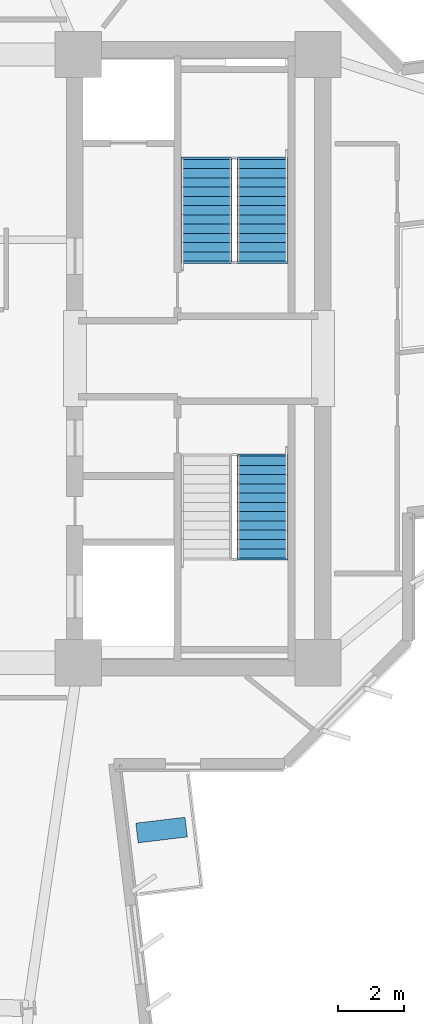
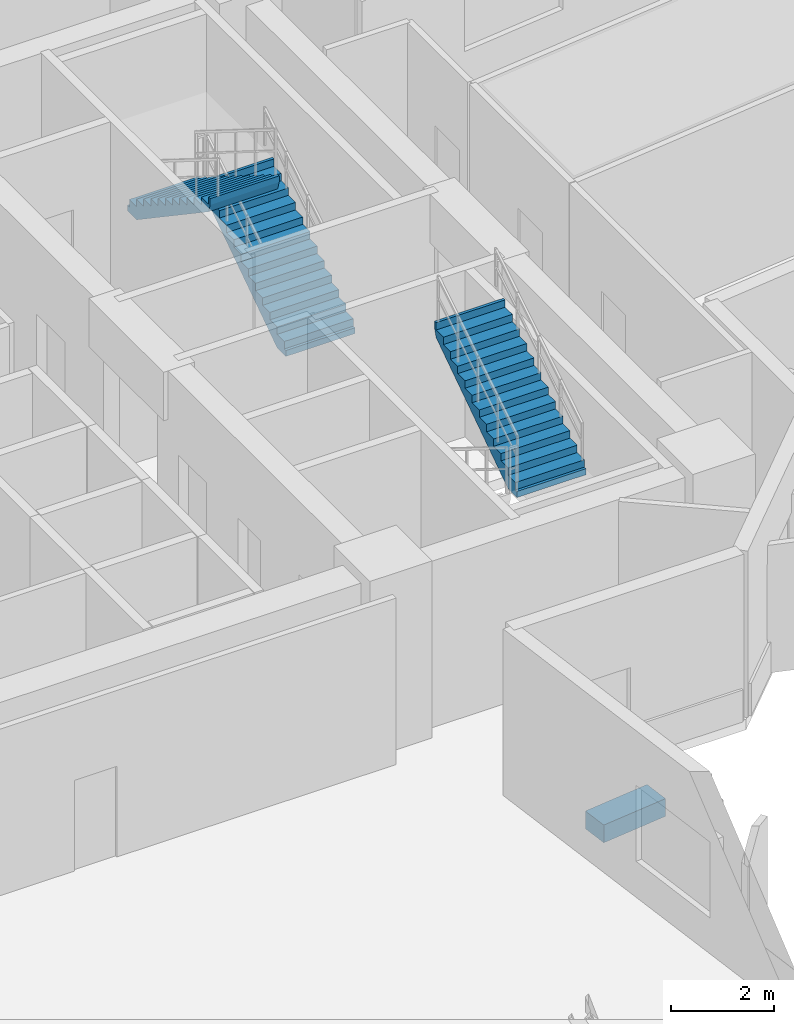
# One storey, part 10 of 15: 3 stair flights, 1 discrete accessory, 2 elements without a shape of their own.
"""IFC4 building model written with IfcOpenShell, lengths in metres."""

from ifc_helpers import new_model, si_unit, direction, frame, origin, origin_2d, place, context, subcontext, project, spatial, polyline, rectangle, outline, extrude, source, transform, mapped, material, type_object, element, aggregate, save


model = new_model("IFC4")

# Units and contexts
model_context = context("Model", 3, precision=1e-05, world=origin(), true_north=direction((0.0, 1.0)))
body_context = subcontext(model_context, "Body", "Model", "MODEL_VIEW")
ifc_project = project(units=[si_unit("LENGTHUNIT", "METRE"), si_unit("AREAUNIT", "SQUARE_METRE"), si_unit("VOLUMEUNIT", "CUBIC_METRE"), si_unit("PLANEANGLEUNIT", "RADIAN"), si_unit("MASSUNIT", "GRAM", prefix="KILO")], contexts=[model_context])

# Site, building, storey
site_placement = place(None, origin())
site = spatial("IfcSite", under=ifc_project, at=site_placement, CompositionType="ELEMENT")
building_placement = place(site_placement, origin())
building = spatial("IfcBuilding", under=site, at=building_placement, Name="Zahravan Cultural Tower", CompositionType="ELEMENT")
storey_placement = place(building_placement, frame((0.0, 0.0, 113.10009765625)))
storey = spatial("IfcBuildingStorey", under=building, at=storey_placement, Name="L25", CompositionType="ELEMENT", Elevation=113.10009765625)

# Stair, stair flights
ifc_material_1 = material(Name="Concrete C45/55", Category="concrete")
stair_type = type_object("IfcStairType", Name="STR-DL-1550-420", PredefinedType="HALF_TURN_STAIR", material=ifc_material_1)
stair_1_placement = place(storey_placement, origin())
stair_1 = element("IfcStair", 1, at=stair_1_placement, inside=storey, type_object=stair_type, Name="L25 East Core North Exit Stair ST-E1", PredefinedType="HALF_TURN_STAIR")
stair_flight_type = type_object("IfcStairFlightType", Name="FLG-DL-1550-420", PredefinedType="STRAIGHT", material=ifc_material_1)
stair_flight_1_placement = place(storey_placement, frame((48.675048828125, 29.949951171875, 0.0), z_axis=(0.0, 0.0, 1.0), x_axis=(0.0, 1.0, 0.0)))
stair_flight_1 = element("IfcStairFlight", 2, at=stair_flight_1_placement, type_object=stair_flight_type, Name="ST-E1 flight 1", NumberOfRisers=12, NumberOfTreads=11, PredefinedType="STRAIGHT", RiserHeight=0.175, TreadLength=0.28, context=body_context, shape_type="SweptSolid", body=[
    extrude(outline(polyline([(-0.06494140625, -0.139892578125), (-0.06494140625, 0.0), (0.0, 0.0), (0.0, 0.175048828125), (0.280029296875, 0.175048828125), (0.280029296875, 0.35009765625), (0.56005859375, 0.35009765625), (0.56005859375, 0.52490234375), (0.840087890625, 0.52490234375), (0.840087890625, 0.699951171875), (1.1201171875, 0.699951171875), (1.1201171875, 0.875), (1.39990234375, 0.875), (1.39990234375, 1.050048828125), (1.679931640625, 1.050048828125), (1.679931640625, 1.22509765625), (1.9599609375, 1.22509765625), (1.9599609375, 1.39990234375), (2.239990234375, 1.39990234375), (2.239990234375, 1.574951171875), (2.52001953125, 1.574951171875), (2.52001953125, 1.75), (2.800048828125, 1.75), (2.800048828125, 1.925048828125), (3.080078125, 1.925048828125), (3.080078125, 2.10009765625), (3.14501953125, 2.10009765625), (3.14501953125, 1.9501953125), (3.080078125, 1.748291015625), (0.28271484375, -0.139892578125), (-0.06494140625, -0.139892578125)])), frame((0.0, 0.77490234375, 0.0), z_axis=(0.0, -1.0, 0.0), x_axis=(1.0, 0.0, 0.0)), (0.0, 0.0, 1.0), 1.550048828125),
])
stair_flight_2_placement = place(storey_placement, frame((46.97509765625, 33.030029296875, 2.099853515625), z_axis=(0.0, 0.0, 1.0), x_axis=(0.0, -1.0, 0.0)))
stair_flight_2 = element("IfcStairFlight", 3, at=stair_flight_2_placement, type_object=stair_flight_type, Name="ST-E1 flight 2", NumberOfRisers=12, NumberOfTreads=11, PredefinedType="STRAIGHT", RiserHeight=0.175, TreadLength=0.28, context=body_context, shape_type="SweptSolid", body=[
    extrude(outline(polyline([(-0.06494140625, -0.139892578125), (-0.06494140625, 0.0), (0.0, 0.0), (0.0, 0.175048828125), (0.280029296875, 0.175048828125), (0.280029296875, 0.35009765625), (0.56005859375, 0.35009765625), (0.56005859375, 0.52490234375), (0.840087890625, 0.52490234375), (0.840087890625, 0.699951171875), (1.1201171875, 0.699951171875), (1.1201171875, 0.875), (1.39990234375, 0.875), (1.39990234375, 1.050048828125), (1.679931640625, 1.050048828125), (1.679931640625, 1.22509765625), (1.9599609375, 1.22509765625), (1.9599609375, 1.39990234375), (2.239990234375, 1.39990234375), (2.239990234375, 1.574951171875), (2.52001953125, 1.574951171875), (2.52001953125, 1.75), (2.800048828125, 1.75), (2.800048828125, 1.925048828125), (3.080078125, 1.925048828125), (3.080078125, 2.10009765625), (3.14501953125, 2.10009765625), (3.14501953125, 1.9501953125), (3.080078125, 1.748291015625), (0.28271484375, -0.139892578125), (-0.06494140625, -0.139892578125)])), frame((0.0, 0.77490234375, 0.0), z_axis=(0.0, -1.0, 0.0), x_axis=(1.0, 0.0, 0.0)), (0.0, 0.0, 1.0), 1.550048828125),
])
aggregate(stair_1, [stair_flight_1, stair_flight_2])

# Stair, stair flight
stair_2_placement = place(storey_placement, origin())
stair_2 = element("IfcStair", 4, at=stair_2_placement, inside=storey, type_object=stair_type, Name="L25 East Core South Exit Stair ST-E2", PredefinedType="HALF_TURN_STAIR")
stair_flight_3_placement = place(storey_placement, frame((48.675048828125, 20.969970703125, 2.099853515625), z_axis=(0.0, 0.0, 1.0), x_axis=(0.0, 1.0, 0.0)))
stair_flight_3 = element("IfcStairFlight", 5, at=stair_flight_3_placement, type_object=stair_flight_type, Name="ST-E2 flight 2", NumberOfRisers=12, NumberOfTreads=11, PredefinedType="STRAIGHT", RiserHeight=0.175, TreadLength=0.28, context=body_context, shape_type="SweptSolid", body=[
    extrude(outline(polyline([(-0.06494140625, -0.139892578125), (-0.06494140625, 0.0), (0.0, 0.0), (0.0, 0.175048828125), (0.280029296875, 0.175048828125), (0.280029296875, 0.35009765625), (0.56005859375, 0.35009765625), (0.56005859375, 0.52490234375), (0.840087890625, 0.52490234375), (0.840087890625, 0.699951171875), (1.1201171875, 0.699951171875), (1.1201171875, 0.875), (1.39990234375, 0.875), (1.39990234375, 1.050048828125), (1.679931640625, 1.050048828125), (1.679931640625, 1.22509765625), (1.9599609375, 1.22509765625), (1.9599609375, 1.39990234375), (2.239990234375, 1.39990234375), (2.239990234375, 1.574951171875), (2.52001953125, 1.574951171875), (2.52001953125, 1.75), (2.800048828125, 1.75), (2.800048828125, 1.925048828125), (3.080078125, 1.925048828125), (3.080078125, 2.10009765625), (3.14501953125, 2.10009765625), (3.14501953125, 1.9501953125), (3.080078125, 1.748291015625), (0.28271484375, -0.139892578125), (-0.06494140625, -0.139892578125)])), frame((0.0, 0.77490234375, 0.0), z_axis=(0.0, -1.0, 0.0), x_axis=(1.0, 0.0, 0.0)), (0.0, 0.0, 1.0), 1.550048828125),
])
aggregate(stair_2, [stair_flight_3])

# Discrete accessory
ifc_material_2 = material(Name="Planted soil and terracotta planter", Category="masonry")
discrete_accessory_type = type_object("IfcDiscreteAccessoryType", Name="ACC-PLANTER-TC", PredefinedType="USERDEFINED", material=ifc_material_2)
shared_shape = source(origin(), body_context, "Body", "SweptSolid", [
    extrude(rectangle(XDim=1.5, YDim=0.60009765625, at=origin_2d()), origin(), (0.0, 0.0, 1.0), 0.419921875),
])
discrete_accessory_placement = place(storey_placement, frame((45.619140625, 12.741455078125, 0.0), z_axis=(0.0, 0.0, 1.0), x_axis=(0.99288260457, 0.119097160095, 0.0)))
element("IfcDiscreteAccessory", 6, at=discrete_accessory_placement, inside=storey, type_object=discrete_accessory_type, Name="L25 Terracotta Sculpture Planter SE", ObjectType="PLANTER", PredefinedType="USERDEFINED", context=body_context, shape_type="MappedRepresentation", body=[
    mapped(shared_shape, transform((0.0, 0.0, 0.0), x_axis=(1.0, 0.0, 0.0), y_axis=(0.0, 1.0, 0.0), z_axis=(0.0, 0.0, 1.0), scale=1.0)),
])

save(model, "model.ifc")
